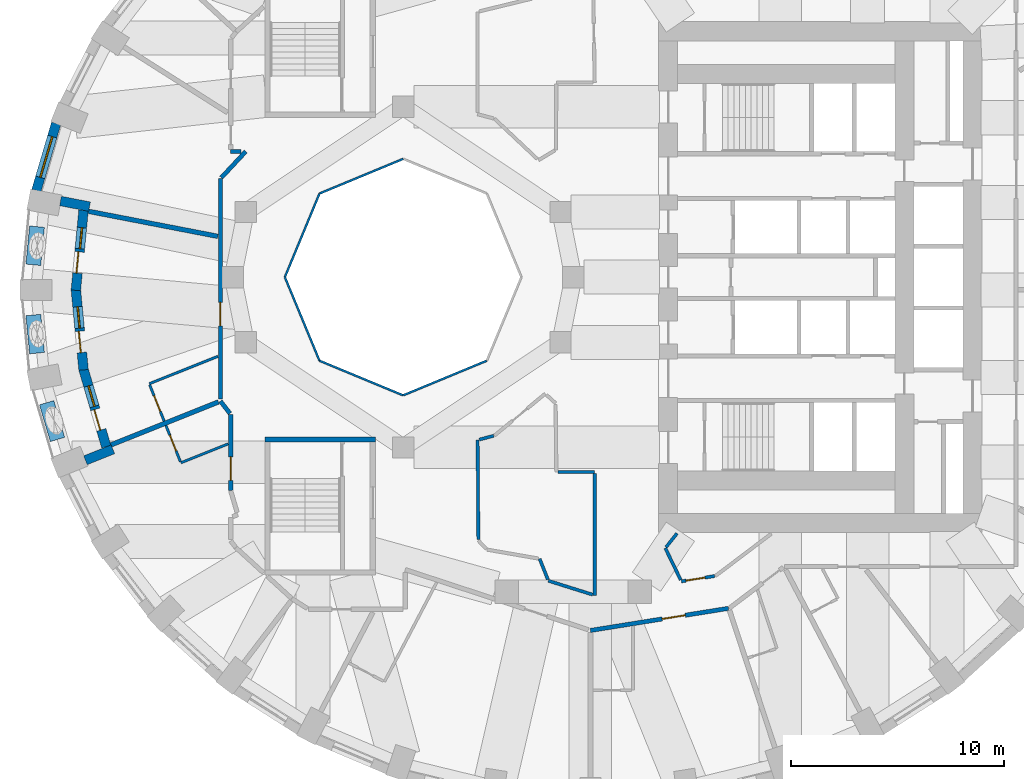
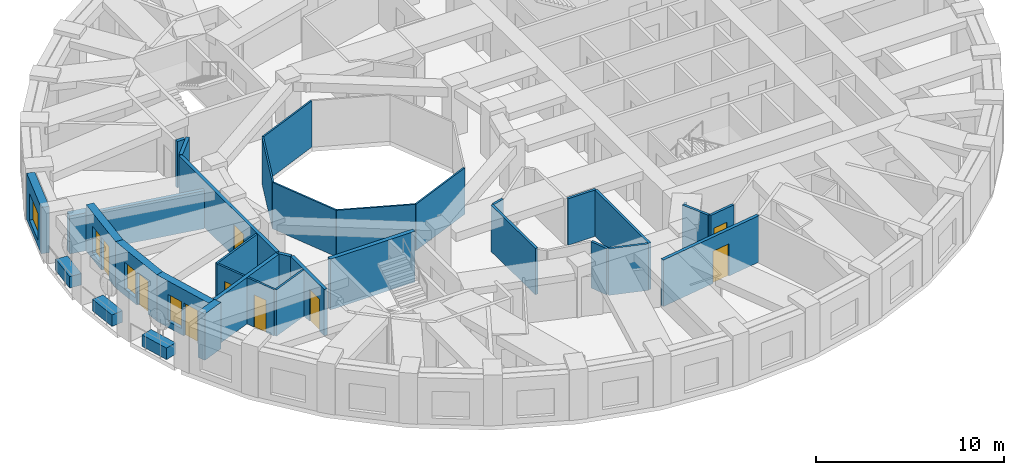
# One storey, part 4 of 12: 36 walls, 9 doors, 4 windows, 13 openings.
"""IFC4 building model written with IfcOpenShell, lengths in metres."""

from ifc_helpers import new_model, si_unit, direction, frame, frame_2d, origin, place, context, subcontext, project, spatial, rectangle, extrude, material, layer, layer_set, constituent, constituent_set, type_object, element, fill, save


model = new_model("IFC4")

# Units and contexts
model_context = context("Model", 3, precision=1e-05, world=origin(), true_north=direction((0.0, 1.0)))
body_context = subcontext(model_context, "Body", "Model", "MODEL_VIEW")
ifc_project = project(units=[si_unit("LENGTHUNIT", "METRE"), si_unit("AREAUNIT", "SQUARE_METRE"), si_unit("VOLUMEUNIT", "CUBIC_METRE"), si_unit("PLANEANGLEUNIT", "RADIAN"), si_unit("MASSUNIT", "GRAM", prefix="KILO")], contexts=[model_context])

# Site, building, storey
site_placement = place(None, origin())
site = spatial("IfcSite", under=ifc_project, at=site_placement, CompositionType="ELEMENT")
building_placement = place(site_placement, origin())
building = spatial("IfcBuilding", under=site, at=building_placement, Name="Taillehof Tower", CompositionType="ELEMENT")
storey_placement = place(building_placement, frame((0.0, 0.0, 105.39990234375)))
storey = spatial("IfcBuildingStorey", under=building, at=storey_placement, Name="L29", CompositionType="ELEMENT", Elevation=105.39990234375)

# Walls
ifc_material_1 = material(Name="Fire-resisting glass in steel frame", Category="steel")
ifc_layer_1 = layer(ifc_material_1, 0.10009765625)
ifc_layer_set_1 = layer_set([ifc_layer_1], Name="Atrium fire-resisting screen EI 60 100")
wall_type_1 = type_object("IfcWallType", Name="Atrium fire-resisting screen EI 60 100", PredefinedType="PARTITIONING", material=ifc_layer_set_1)
for number, where, z_axis, x_axis, name in (
    (1, (-4.07275390625, -3.92724609375, 0.0), (0.0, 0.0, 1.0), (-0.923860025149, -0.382730523909, 0.0), "Atrium screen"),
    (2, (-8.0, -5.55419921875, 0.0), (0.0, 0.0, 1.0), (-0.923860025149, 0.382730523909, 0.0), "Atrium screen"),
    (3, (-11.92724609375, -3.92724609375, 0.0), (0.0, 0.0, 1.0), (-0.382730523909, 0.923860025149, 0.0), "Atrium screen"),
    (4, (-13.55419921875, 0.0, 0.0), (0.0, 0.0, 1.0), (0.382730523909, 0.923860025149, 0.0), "Atrium screen"),
    (5, (-11.92724609375, 3.92724609375, 0.0), (0.0, 0.0, 1.0), (0.923860025149, 0.382730523909, 0.0), "Atrium screen"),
):
    element("IfcWall", number, at=place(storey_placement, frame(where, z_axis=z_axis, x_axis=x_axis)), inside=storey, type_object=wall_type_1, Name=name, PredefinedType="PARTITIONING", context=body_context, shape_type="SweptSolid", body=[
        extrude(rectangle(XDim=4.2509765625, YDim=0.10009765625, at=frame_2d((2.12548828125, 0.0))), origin(), (0.0, 0.0, 1.0), 3.02001953125),
    ])

# Wall, opening, window
ifc_material_2 = material(Name="Brick masonry", Category="masonry")
ifc_layer_2 = layer(ifc_material_2, 0.449951171875)
ifc_layer_set_2 = layer_set([ifc_layer_2], Name="Brick infill wall 450")
wall_type_2 = type_object("IfcWallType", Name="Brick infill wall 450", PredefinedType="SOLIDWALL", material=ifc_layer_set_2)
wall_1_placement = place(storey_placement, frame((-24.302001953125, 7.220703125, 0.0), z_axis=(0.0, 0.0, 1.0), x_axis=(-0.283071248438, -0.959098883488, 0.0)))
wall_1 = element("IfcWall", 6, at=wall_1_placement, inside=storey, type_object=wall_type_2, Name="Brick wall L29 bay 17", PredefinedType="SOLIDWALL", context=body_context, shape_type="SweptSolid", body=[
    extrude(rectangle(XDim=3.2861328125, YDim=0.449951171875, at=frame_2d((1.64306640625, 0.0))), origin(), (0.0, 0.0, 1.0), 3.02001953125),
])
opening_1_placement = place(wall_1_placement, frame((0.64306640625, 0.0, 0.39990234375)))
opening_1 = element("IfcOpeningElement", 7, at=opening_1_placement, cuts=wall_1, Name="Opening W2", PredefinedType="OPENING", context=body_context, shape_type="SweptSolid", body=[
    extrude(rectangle(XDim=2.0, YDim=1.75, at=frame_2d((1.0, 0.875))), frame((0.0, 0.23486328125, 0.0), z_axis=(0.0, -1.0, 0.0), x_axis=(1.0, 0.0, 0.0)), (0.0, 0.0, 1.0), 0.469970703125),
])
ifc_material_3 = material(Name="Aluminium window frame with clear double glazing", Category="aluminium")
window_type_1 = type_object("IfcWindowType", Name="Deep-set window 2000x1750", PartitioningType="SINGLE_PANEL", PredefinedType="WINDOW", material=ifc_material_3)
window_1_placement = place(opening_1_placement, origin())
window_1 = element("IfcWindow", 8, at=window_1_placement, inside=storey, type_object=window_type_1, Name="W2", OverallHeight=1.75, OverallWidth=2.0, PartitioningType="SINGLE_PANEL", PredefinedType="WINDOW", context=body_context, shape_type="SweptSolid", body=[
    extrude(rectangle(XDim=2.0, YDim=1.75, at=frame_2d((1.0, 0.875))), frame((0.0, 0.034912109375, 0.0), z_axis=(0.0, -1.0, 0.0), x_axis=(1.0, 0.0, 0.0)), (0.0, 0.0, 1.0), 0.06005859375),
])
fill(opening_1, window_1)

# Walls
wall_2_placement = place(storey_placement, frame((-24.09716796875, 3.576416015625, 0.0), z_axis=(0.0, 0.0, 1.0), x_axis=(0.981777736615, -0.190032828447, 0.0)))
element("IfcWall", 9, at=wall_2_placement, inside=storey, type_object=wall_type_2, Name="Brick reveal L29 pocket 5", PredefinedType="SOLIDWALL", context=body_context, shape_type="SweptSolid", body=[
    extrude(rectangle(XDim=1.39013671875, YDim=0.449951171875, at=frame_2d((0.695068359375, 0.0))), origin(), (0.0, 0.0, 1.0), 2.47021484375),
])
wall_3_placement = place(storey_placement, frame((-22.92626953125, -8.60498046875, 0.0), z_axis=(0.0, 0.0, 1.0), x_axis=(0.928549333349, 0.371209018665, 0.0)))
element("IfcWall", 10, at=wall_3_placement, inside=storey, type_object=wall_type_2, Name="Brick reveal L29 pocket 5", PredefinedType="SOLIDWALL", context=body_context, shape_type="SweptSolid", body=[
    extrude(rectangle(XDim=1.390380859375, YDim=0.449951171875, at=frame_2d((0.6953125, 0.0))), origin(), (0.0, 0.0, 1.0), 3.02001953125),
])

# Wall, openings, door, window
wall_4_placement = place(storey_placement, frame((-23.0146484375, 3.1376953125, 0.0), z_axis=(0.0, 0.0, 1.0), x_axis=(-0.095675452713, -0.995412581671, 0.0)))
wall_4 = element("IfcWall", 11, at=wall_4_placement, inside=storey, type_object=wall_type_2, Name="Brick wall L29 pocket bay 18", PredefinedType="SOLIDWALL", context=body_context, shape_type="SweptSolid", body=[
    extrude(rectangle(XDim=3.776611328125, YDim=0.449951171875, at=frame_2d((1.88818359375, 0.0))), origin(), (0.0, 0.0, 1.0), 3.02001953125),
])
opening_2_placement = place(wall_4_placement, frame((0.813232421875, 0.0, 0.39990234375)))
opening_2 = element("IfcOpeningElement", 12, at=opening_2_placement, cuts=wall_4, Name="Opening W5", PredefinedType="OPENING", context=body_context, shape_type="SweptSolid", body=[
    extrude(rectangle(XDim=1.0, YDim=1.75, at=frame_2d((0.5, 0.875))), frame((0.0, 0.23486328125, 0.0), z_axis=(0.0, -1.0, 0.0), x_axis=(1.0, 0.0, 0.0)), (0.0, 0.0, 1.0), 0.469970703125),
])
opening_3_placement = place(wall_4_placement, frame((1.96337890625, 0.0, 0.0)))
opening_3 = element("IfcOpeningElement", 13, at=opening_3_placement, cuts=wall_4, Name="Opening D2994", PredefinedType="OPENING", context=body_context, shape_type="SweptSolid", body=[
    extrude(rectangle(XDim=1.0, YDim=2.14990234375, at=frame_2d((0.5, 1.074951171875))), frame((0.0, 0.23486328125, 0.0), z_axis=(0.0, -1.0, 0.0), x_axis=(1.0, 0.0, 0.0)), (0.0, 0.0, 1.0), 0.469970703125),
])
ifc_material_4 = material(Name="Aluminium door frame with clear double glazing", Category="aluminium")
door_type_1 = type_object("IfcDoorType", Name="Balcony door 1000x2150", OperationType="SINGLE_SWING_RIGHT", PredefinedType="DOOR", material=ifc_material_4)
door_1_placement = place(opening_3_placement, frame((1.0, 0.0, 0.0), z_axis=(0.0, 0.0, 1.0), x_axis=(-1.0, 0.0, 0.0)))
door_1 = element("IfcDoor", 14, at=door_1_placement, inside=storey, type_object=door_type_1, Name="Balcony door L29 bay 18", OperationType="SINGLE_SWING_RIGHT", OverallHeight=2.14990234375, OverallWidth=1.0, PredefinedType="DOOR", context=body_context, shape_type="SweptSolid", body=[
    extrude(rectangle(XDim=1.0, YDim=2.14990234375, at=frame_2d((0.5, 1.074951171875))), frame((0.0, 0.0751953125, 0.0), z_axis=(0.0, -1.0, 0.0), x_axis=(1.0, 0.0, 0.0)), (0.0, 0.0, 1.0), 0.050048828125),
])
fill(opening_3, door_1)
ifc_material_5 = material(Name="Aluminium window frame with clear double glazing", Category="aluminium")
window_type_2 = type_object("IfcWindowType", Name="Fixed window 1000x1750", PartitioningType="SINGLE_PANEL", PredefinedType="WINDOW", material=ifc_material_5)
window_2_placement = place(opening_2_placement, origin())
window_2 = element("IfcWindow", 15, at=window_2_placement, inside=storey, type_object=window_type_2, Name="W5", OverallHeight=1.75, OverallWidth=1.0, PartitioningType="SINGLE_PANEL", PredefinedType="WINDOW", context=body_context, shape_type="SweptSolid", body=[
    extrude(rectangle(XDim=1.0, YDim=1.75, at=frame_2d((0.5, 0.875))), frame((0.0, 0.034912109375, 0.0), z_axis=(0.0, -1.0, 0.0), x_axis=(1.0, 0.0, 0.0)), (0.0, 0.0, 1.0), 0.06005859375),
])
fill(opening_2, window_2)

wall_5_placement = place(storey_placement, frame((-23.3759765625, -0.578369140625, 0.0), z_axis=(0.0, 0.0, 1.0), x_axis=(0.095646267275, -0.995415386437, 0.0)))
wall_5 = element("IfcWall", 16, at=wall_5_placement, inside=storey, type_object=wall_type_2, Name="Brick wall L29 pocket bay 19", PredefinedType="SOLIDWALL", context=body_context, shape_type="SweptSolid", body=[
    extrude(rectangle(XDim=3.798095703125, YDim=0.449951171875, at=frame_2d((1.89892578125, 0.0))), origin(), (0.0, 0.0, 1.0), 3.02001953125),
])
opening_4_placement = place(wall_5_placement, frame((0.823974609375, 0.0, 0.39990234375)))
opening_4 = element("IfcOpeningElement", 17, at=opening_4_placement, cuts=wall_5, Name="Opening W5", PredefinedType="OPENING", context=body_context, shape_type="SweptSolid", body=[
    extrude(rectangle(XDim=1.0, YDim=1.75, at=frame_2d((0.5, 0.875))), frame((0.0, 0.23486328125, 0.0), z_axis=(0.0, -1.0, 0.0), x_axis=(1.0, 0.0, 0.0)), (0.0, 0.0, 1.0), 0.469970703125),
])
opening_5_placement = place(wall_5_placement, frame((1.97412109375, 0.0, 0.0)))
opening_5 = element("IfcOpeningElement", 18, at=opening_5_placement, cuts=wall_5, Name="Opening D2995", PredefinedType="OPENING", context=body_context, shape_type="SweptSolid", body=[
    extrude(rectangle(XDim=1.0, YDim=2.14990234375, at=frame_2d((0.5, 1.074951171875))), frame((0.0, 0.23486328125, 0.0), z_axis=(0.0, -1.0, 0.0), x_axis=(1.0, 0.0, 0.0)), (0.0, 0.0, 1.0), 0.469970703125),
])
door_2_placement = place(opening_5_placement, frame((1.0, 0.0, 0.0), z_axis=(0.0, 0.0, 1.0), x_axis=(-1.0, 0.0, 0.0)))
door_2 = element("IfcDoor", 19, at=door_2_placement, inside=storey, type_object=door_type_1, Name="Balcony door L29 bay 19", OperationType="SINGLE_SWING_LEFT", OverallHeight=2.14990234375, OverallWidth=1.0, PredefinedType="DOOR", context=body_context, shape_type="SweptSolid", body=[
    extrude(rectangle(XDim=1.0, YDim=2.14990234375, at=frame_2d((0.5, 1.074951171875))), frame((0.0, 0.0751953125, 0.0), z_axis=(0.0, -1.0, 0.0), x_axis=(1.0, 0.0, 0.0)), (0.0, 0.0, 1.0), 0.050048828125),
])
fill(opening_5, door_2)
window_3_placement = place(opening_4_placement, origin())
window_3 = element("IfcWindow", 20, at=window_3_placement, inside=storey, type_object=window_type_2, Name="W5", OverallHeight=1.75, OverallWidth=1.0, PartitioningType="SINGLE_PANEL", PredefinedType="WINDOW", context=body_context, shape_type="SweptSolid", body=[
    extrude(rectangle(XDim=1.0, YDim=1.75, at=frame_2d((0.5, 0.875))), frame((0.0, 0.034912109375, 0.0), z_axis=(0.0, -1.0, 0.0), x_axis=(1.0, 0.0, 0.0)), (0.0, 0.0, 1.0), 0.06005859375),
])
fill(opening_4, window_3)

wall_6_placement = place(storey_placement, frame((-23.020751953125, -4.317138671875, 0.0), z_axis=(0.0, 0.0, 1.0), x_axis=(0.282391916129, -0.959299122123, 0.0)))
wall_6 = element("IfcWall", 21, at=wall_6_placement, inside=storey, type_object=wall_type_2, Name="Brick wall L29 pocket bay 20", PredefinedType="SOLIDWALL", context=body_context, shape_type="SweptSolid", body=[
    extrude(rectangle(XDim=3.808349609375, YDim=0.449951171875, at=frame_2d((1.904296875, 0.0))), origin(), (0.0, 0.0, 1.0), 3.02001953125),
])
opening_6_placement = place(wall_6_placement, frame((0.8291015625, 0.0, 0.39990234375)))
opening_6 = element("IfcOpeningElement", 22, at=opening_6_placement, cuts=wall_6, Name="Opening W5", PredefinedType="OPENING", context=body_context, shape_type="SweptSolid", body=[
    extrude(rectangle(XDim=1.0, YDim=1.75, at=frame_2d((0.5, 0.875))), frame((0.0, 0.23486328125, 0.0), z_axis=(0.0, -1.0, 0.0), x_axis=(1.0, 0.0, 0.0)), (0.0, 0.0, 1.0), 0.469970703125),
])
opening_7_placement = place(wall_6_placement, frame((1.979248046875, 0.0, 0.0)))
opening_7 = element("IfcOpeningElement", 23, at=opening_7_placement, cuts=wall_6, Name="Opening D2996", PredefinedType="OPENING", context=body_context, shape_type="SweptSolid", body=[
    extrude(rectangle(XDim=1.0, YDim=2.14990234375, at=frame_2d((0.5, 1.074951171875))), frame((0.0, 0.23486328125, 0.0), z_axis=(0.0, -1.0, 0.0), x_axis=(1.0, 0.0, 0.0)), (0.0, 0.0, 1.0), 0.469970703125),
])
door_3_placement = place(opening_7_placement, frame((1.0, 0.0, 0.0), z_axis=(0.0, 0.0, 1.0), x_axis=(-1.0, 0.0, 0.0)))
door_3 = element("IfcDoor", 24, at=door_3_placement, inside=storey, type_object=door_type_1, Name="Balcony door L29 bay 20", OperationType="SINGLE_SWING_LEFT", OverallHeight=2.14990234375, OverallWidth=1.0, PredefinedType="DOOR", context=body_context, shape_type="SweptSolid", body=[
    extrude(rectangle(XDim=1.0, YDim=2.14990234375, at=frame_2d((0.5, 1.074951171875))), frame((0.0, 0.0751953125, 0.0), z_axis=(0.0, -1.0, 0.0), x_axis=(1.0, 0.0, 0.0)), (0.0, 0.0, 1.0), 0.050048828125),
])
fill(opening_7, door_3)
window_4_placement = place(opening_6_placement, origin())
window_4 = element("IfcWindow", 25, at=window_4_placement, inside=storey, type_object=window_type_2, Name="W5", OverallHeight=1.75, OverallWidth=1.0, PartitioningType="SINGLE_PANEL", PredefinedType="WINDOW", context=body_context, shape_type="SweptSolid", body=[
    extrude(rectangle(XDim=1.0, YDim=1.75, at=frame_2d((0.5, 0.875))), frame((0.0, 0.034912109375, 0.0), z_axis=(0.0, -1.0, 0.0), x_axis=(1.0, 0.0, 0.0)), (0.0, 0.0, 1.0), 0.06005859375),
])
fill(opening_6, window_4)

# Wall, opening, door
ifc_material_6 = material(Name="Gypsum board on steel studs, two layers each side", Category="steel")
ifc_layer_3 = layer(ifc_material_6, 0.199951171875)
ifc_layer_set_3 = layer_set([ifc_layer_3], Name="Compartment wall corridor 200")
wall_type_3 = type_object("IfcWallType", Name="Compartment wall corridor 200", PredefinedType="PARTITIONING", material=ifc_layer_set_3)
wall_7_placement = place(storey_placement, frame((-16.10009765625, -10.013427734375, 0.0), z_axis=(0.0, 0.0, 1.0), x_axis=(0.0, 1.0, 0.0)))
wall_7 = element("IfcWall", 26, at=wall_7_placement, inside=storey, type_object=wall_type_3, Name="Compartment wall", PredefinedType="PARTITIONING", context=body_context, shape_type="SweptSolid", body=[
    extrude(rectangle(XDim=3.561279296875, YDim=0.199951171875, at=frame_2d((1.78076171875, 0.0))), origin(), (0.0, 0.0, 1.0), 3.02001953125),
])
opening_8_placement = place(wall_7_placement, frame((0.47021484375, 0.0, 0.0)))
opening_8 = element("IfcOpeningElement", 27, at=opening_8_placement, cuts=wall_7, Name="Opening D2950", PredefinedType="OPENING", context=body_context, shape_type="SweptSolid", body=[
    extrude(rectangle(XDim=1.10009765625, YDim=2.10009765625, at=frame_2d((0.550048828125, 1.050048828125))), frame((0.0, 0.10986328125, 0.0), z_axis=(0.0, -1.0, 0.0), x_axis=(1.0, 0.0, 0.0)), (0.0, 0.0, 1.0), 0.219970703125),
])
ifc_material_7 = material(Name="Timber door leaf in steel frame", Category="steel")
door_type_2 = type_object("IfcDoorType", Name="Suite entrance door EI 30 1100 x 2100", OperationType="SINGLE_SWING_LEFT", PredefinedType="DOOR", material=ifc_material_7)
door_4_placement = place(opening_8_placement, origin())
door_4 = element("IfcDoor", 28, at=door_4_placement, inside=storey, type_object=door_type_2, Name="D2950", OperationType="SINGLE_SWING_RIGHT", OverallHeight=2.10009765625, OverallWidth=1.10009765625, PredefinedType="DOOR", context=body_context, shape_type="SweptSolid", body=[
    extrude(rectangle(XDim=1.10009765625, YDim=2.10009765625, at=frame_2d((0.550048828125, 1.050048828125))), frame((0.0, 0.02490234375, 0.0), z_axis=(0.0, -1.0, 0.0), x_axis=(1.0, 0.0, 0.0)), (0.0, 0.0, 1.0), 0.050048828125),
])
fill(opening_8, door_4)

# Wall
wall_8_placement = place(storey_placement, frame((-16.13671875, -6.404541015625, 0.0), z_axis=(0.0, 0.0, 1.0), x_axis=(-0.612388914667, 0.790556650211, 0.0)))
element("IfcWall", 29, at=wall_8_placement, inside=storey, type_object=wall_type_3, Name="Compartment wall", PredefinedType="PARTITIONING", context=body_context, shape_type="SweptSolid", body=[
    extrude(rectangle(XDim=0.73046875, YDim=0.199951171875, at=frame_2d((0.365234375, 0.0))), origin(), (0.0, 0.0, 1.0), 3.02001953125),
])

# Wall, opening, door
wall_9_placement = place(storey_placement, frame((-16.583984375, -5.72705078125, 0.0), z_axis=(0.0, 0.0, 1.0), x_axis=(0.0, 1.0, 0.0)))
wall_9 = element("IfcWall", 30, at=wall_9_placement, inside=storey, type_object=wall_type_3, Name="Compartment wall", PredefinedType="PARTITIONING", context=body_context, shape_type="SweptSolid", body=[
    extrude(rectangle(XDim=10.354248046875, YDim=0.199951171875, at=frame_2d((5.17724609375, 0.0))), origin(), (0.0, 0.0, 1.0), 3.02001953125),
])
opening_9_placement = place(wall_9_placement, frame((3.439208984375, 0.0, 0.0)))
opening_9 = element("IfcOpeningElement", 31, at=opening_9_placement, cuts=wall_9, Name="Opening D2948", PredefinedType="OPENING", context=body_context, shape_type="SweptSolid", body=[
    extrude(rectangle(XDim=1.10009765625, YDim=2.10009765625, at=frame_2d((0.550048828125, 1.050048828125))), frame((0.0, 0.10986328125, 0.0), z_axis=(0.0, -1.0, 0.0), x_axis=(1.0, 0.0, 0.0)), (0.0, 0.0, 1.0), 0.219970703125),
])
door_5_placement = place(opening_9_placement, origin())
door_5 = element("IfcDoor", 32, at=door_5_placement, inside=storey, type_object=door_type_2, Name="D2948", OperationType="SINGLE_SWING_LEFT", OverallHeight=2.10009765625, OverallWidth=1.10009765625, PredefinedType="DOOR", context=body_context, shape_type="SweptSolid", body=[
    extrude(rectangle(XDim=1.10009765625, YDim=2.10009765625, at=frame_2d((0.550048828125, 1.050048828125))), frame((0.0, 0.02490234375, 0.0), z_axis=(0.0, -1.0, 0.0), x_axis=(1.0, 0.0, 0.0)), (0.0, 0.0, 1.0), 0.050048828125),
])
fill(opening_9, door_5)

# Walls
wall_10_placement = place(storey_placement, frame((-16.54296875, 4.671142578125, 0.0), z_axis=(0.0, 0.0, 1.0), x_axis=(0.681815766934, 0.731523929861, 0.0)))
element("IfcWall", 33, at=wall_10_placement, inside=storey, type_object=wall_type_3, Name="Compartment wall", PredefinedType="PARTITIONING", context=body_context, shape_type="SweptSolid", body=[
    extrude(rectangle(XDim=1.6796875, YDim=0.199951171875, at=frame_2d((0.83984375, 0.0))), origin(), (0.0, 0.0, 1.0), 3.02001953125),
])
wall_11_placement = place(storey_placement, frame((-15.617919921875, 5.89990234375, 0.0), z_axis=(0.0, 0.0, 1.0), x_axis=(-1.0, 0.0, 0.0)))
element("IfcWall", 34, at=wall_11_placement, inside=storey, type_object=wall_type_3, Name="Compartment wall", PredefinedType="PARTITIONING", context=body_context, shape_type="SweptSolid", body=[
    extrude(rectangle(XDim=0.482177734375, YDim=0.199951171875, at=frame_2d((0.2412109375, 0.0))), origin(), (0.0, 0.0, 1.0), 3.02001953125),
])

# Wall, opening, door
wall_12_placement = place(storey_placement, frame((7.284423828125, -15.561279296875, 0.0), z_axis=(0.0, 0.0, 1.0), x_axis=(-0.987409293733, -0.158186240393, 0.0)))
wall_12 = element("IfcWall", 35, at=wall_12_placement, inside=storey, type_object=wall_type_3, Name="Compartment wall", PredefinedType="PARTITIONING", context=body_context, shape_type="SweptSolid", body=[
    extrude(rectangle(XDim=6.567138671875, YDim=0.199951171875, at=frame_2d((3.28369140625, 0.0))), origin(), (0.0, 0.0, 1.0), 3.02001953125),
])
opening_10_placement = place(wall_12_placement, frame((2.057373046875, 0.0, 0.0)))
opening_10 = element("IfcOpeningElement", 36, at=opening_10_placement, cuts=wall_12, Name="Opening D2955", PredefinedType="OPENING", context=body_context, shape_type="SweptSolid", body=[
    extrude(rectangle(XDim=1.10009765625, YDim=2.10009765625, at=frame_2d((0.550048828125, 1.050048828125))), frame((0.0, 0.10986328125, 0.0), z_axis=(0.0, -1.0, 0.0), x_axis=(1.0, 0.0, 0.0)), (0.0, 0.0, 1.0), 0.219970703125),
])
door_6_placement = place(opening_10_placement, origin())
door_6 = element("IfcDoor", 37, at=door_6_placement, inside=storey, type_object=door_type_2, Name="D2955", OperationType="SINGLE_SWING_RIGHT", OverallHeight=2.10009765625, OverallWidth=1.10009765625, PredefinedType="DOOR", context=body_context, shape_type="SweptSolid", body=[
    extrude(rectangle(XDim=1.10009765625, YDim=2.10009765625, at=frame_2d((0.550048828125, 1.050048828125))), frame((0.0, 0.02490234375, 0.0), z_axis=(0.0, -1.0, 0.0), x_axis=(1.0, 0.0, 0.0)), (0.0, 0.0, 1.0), 0.050048828125),
])
fill(opening_10, door_6)

# Walls
ifc_material_8 = material(Name="Gypsum board on double steel studs with mineral wool", Category="steel")
ifc_layer_4 = layer(ifc_material_8, 0.219970703125)
ifc_layer_set_4 = layer_set([ifc_layer_4], Name="Compartment wall guest room 220")
wall_type_4 = type_object("IfcWallType", Name="Compartment wall guest room 220", PredefinedType="PARTITIONING", material=ifc_layer_set_4)
wall_13_placement = place(storey_placement, frame((-22.792724609375, 3.0947265625, 0.0), z_axis=(0.0, 0.0, 1.0), x_axis=(0.98175994641, -0.190124715976, 0.0)))
element("IfcWall", 38, at=wall_13_placement, inside=storey, type_object=wall_type_4, Name="Compartment wall", PredefinedType="PARTITIONING", context=body_context, shape_type="SweptSolid", body=[
    extrude(rectangle(XDim=6.2021484375, YDim=0.219970703125, at=frame_2d((3.10107421875, 0.0))), origin(), (0.0, 0.0, 1.0), 2.47021484375),
])
wall_14_placement = place(storey_placement, frame((-21.735595703125, -7.88671875, 0.0), z_axis=(0.0, 0.0, 1.0), x_axis=(0.928513770625, 0.371297963583, 0.0)))
element("IfcWall", 39, at=wall_14_placement, inside=storey, type_object=wall_type_4, Name="Compartment wall", PredefinedType="PARTITIONING", context=body_context, shape_type="SweptSolid", body=[
    extrude(rectangle(XDim=5.4482421875, YDim=0.219970703125, at=frame_2d((2.72412109375, 0.0))), origin(), (0.0, 0.0, 1.0), 3.02001953125),
])
ifc_material_9 = material(Name="Gypsum board on steel studs, two layers each side", Category="steel")
ifc_layer_5 = layer(ifc_material_9, 0.14990234375)
ifc_layer_set_5 = layer_set([ifc_layer_5], Name="Compartment wall service room 150")
wall_type_5 = type_object("IfcWallType", Name="Compartment wall service room 150", PredefinedType="PARTITIONING", material=ifc_layer_set_5)
wall_15_placement = place(storey_placement, frame((-0.719970703125, -9.14990234375, 0.0), z_axis=(0.0, 0.0, 1.0), x_axis=(1.0, 0.0, 0.0)))
element("IfcWall", 40, at=wall_15_placement, inside=storey, type_object=wall_type_5, Name="Compartment wall", PredefinedType="PARTITIONING", context=body_context, shape_type="SweptSolid", body=[
    extrude(rectangle(XDim=1.719970703125, YDim=0.14990234375, at=frame_2d((0.85986328125, 0.0))), origin(), (0.0, 0.0, 1.0), 3.02001953125),
])
wall_16_placement = place(storey_placement, frame((1.0, -9.22998046875, 0.0), z_axis=(0.0, 0.0, 1.0), x_axis=(0.0, -1.0, 0.0)))
element("IfcWall", 41, at=wall_16_placement, inside=storey, type_object=wall_type_5, Name="Compartment wall", PredefinedType="PARTITIONING", context=body_context, shape_type="SweptSolid", body=[
    extrude(rectangle(XDim=5.717529296875, YDim=0.14990234375, at=frame_2d((2.85888671875, 0.0))), origin(), (0.0, 0.0, 1.0), 3.02001953125),
])
wall_17_placement = place(storey_placement, frame((0.90478515625, -14.918212890625, 0.0), z_axis=(0.0, 0.0, 1.0), x_axis=(-0.954324426349, 0.298772303391, 0.0)))
element("IfcWall", 42, at=wall_17_placement, inside=storey, type_object=wall_type_5, Name="Compartment wall", PredefinedType="PARTITIONING", context=body_context, shape_type="SweptSolid", body=[
    extrude(rectangle(XDim=2.18017578125, YDim=0.14990234375, at=frame_2d((1.090087890625, 0.0))), origin(), (0.0, 0.0, 1.0), 3.02001953125),
])
wall_18_placement = place(storey_placement, frame((-1.19775390625, -14.211181640625, 0.0), z_axis=(0.0, 0.0, 1.0), x_axis=(-0.368390833177, 0.929671013871, 0.0)))
element("IfcWall", 43, at=wall_18_placement, inside=storey, type_object=wall_type_5, Name="Compartment wall", PredefinedType="PARTITIONING", context=body_context, shape_type="SweptSolid", body=[
    extrude(rectangle(XDim=1.052978515625, YDim=0.14990234375, at=frame_2d((0.5263671875, 0.0))), origin(), (0.0, 0.0, 1.0), 3.02001953125),
])
wall_19_placement = place(storey_placement, frame((-4.46435546875, -12.33740234375, 0.0), z_axis=(0.0, 0.0, 1.0), x_axis=(-0.007612272268, 0.999971026236, 0.0)))
element("IfcWall", 44, at=wall_19_placement, inside=storey, type_object=wall_type_5, Name="Compartment wall", PredefinedType="PARTITIONING", context=body_context, shape_type="SweptSolid", body=[
    extrude(rectangle(XDim=4.6826171875, YDim=0.14990234375, at=frame_2d((2.34130859375, 0.0))), origin(), (0.0, 0.0, 1.0), 3.02001953125),
])
wall_20_placement = place(storey_placement, frame((-4.4228515625, -7.634521484375, 0.0), z_axis=(0.0, 0.0, 1.0), x_axis=(0.965842837235, 0.259128566087, 0.0)))
element("IfcWall", 45, at=wall_20_placement, inside=storey, type_object=wall_type_5, Name="Compartment wall", PredefinedType="PARTITIONING", context=body_context, shape_type="SweptSolid", body=[
    extrude(rectangle(XDim=0.704833984375, YDim=0.14990234375, at=frame_2d((0.3525390625, 0.0))), origin(), (0.0, 0.0, 1.0), 3.02001953125),
])

# Wall, opening, door
wall_21_placement = place(storey_placement, frame((6.637451171875, -14.04443359375, 0.0), z_axis=(0.0, 0.0, 1.0), x_axis=(-0.987404968029, -0.158213239367, 0.0)))
wall_21 = element("IfcWall", 46, at=wall_21_placement, inside=storey, type_object=wall_type_5, Name="Compartment wall", PredefinedType="PARTITIONING", context=body_context, shape_type="SweptSolid", body=[
    extrude(rectangle(XDim=1.581787109375, YDim=0.14990234375, at=frame_2d((0.791015625, 0.0))), origin(), (0.0, 0.0, 1.0), 3.02001953125),
])
opening_11_placement = place(wall_21_placement, frame((0.461669921875, 0.0, 0.0)))
opening_11 = element("IfcOpeningElement", 47, at=opening_11_placement, cuts=wall_21, Name="Opening D2967", PredefinedType="OPENING", context=body_context, shape_type="SweptSolid", body=[
    extrude(rectangle(XDim=0.89990234375, YDim=2.10009765625, at=frame_2d((0.449951171875, 1.050048828125))), frame((0.0, 0.0849609375, 0.0), z_axis=(0.0, -1.0, 0.0), x_axis=(1.0, 0.0, 0.0)), (0.0, 0.0, 1.0), 0.169921875),
])
ifc_material_10 = material(Name="Timber door leaf in steel frame", Category="steel")
door_type_3 = type_object("IfcDoorType", Name="Service room door EI 30 900 x 2100", OperationType="SINGLE_SWING_LEFT", PredefinedType="DOOR", material=ifc_material_10)
door_7_placement = place(opening_11_placement, origin())
door_7 = element("IfcDoor", 48, at=door_7_placement, inside=storey, type_object=door_type_3, Name="D2967", OperationType="SINGLE_SWING_LEFT", OverallHeight=2.10009765625, OverallWidth=0.89990234375, PredefinedType="DOOR", context=body_context, shape_type="SweptSolid", body=[
    extrude(rectangle(XDim=0.89990234375, YDim=2.10009765625, at=frame_2d((0.449951171875, 1.050048828125))), frame((0.0, 0.02490234375, 0.0), z_axis=(0.0, -1.0, 0.0), x_axis=(1.0, 0.0, 0.0)), (0.0, 0.0, 1.0), 0.050048828125),
])
fill(opening_11, door_7)

# Walls
wall_22_placement = place(storey_placement, frame((5.04052734375, -14.222412109375, 0.0), z_axis=(0.0, 0.0, 1.0), x_axis=(-0.436031090703, 0.899931601812, 0.0)))
element("IfcWall", 49, at=wall_22_placement, inside=storey, type_object=wall_type_5, Name="Compartment wall", PredefinedType="PARTITIONING", context=body_context, shape_type="SweptSolid", body=[
    extrude(rectangle(XDim=1.65576171875, YDim=0.14990234375, at=frame_2d((0.827880859375, 0.0))), origin(), (0.0, 0.0, 1.0), 3.02001953125),
])
wall_23_placement = place(storey_placement, frame((4.35595703125, -12.685546875, 0.0), z_axis=(0.0, 0.0, 1.0), x_axis=(0.621438600293, 0.783462868339, 0.0)))
element("IfcWall", 50, at=wall_23_placement, inside=storey, type_object=wall_type_5, Name="Compartment wall", PredefinedType="PARTITIONING", context=body_context, shape_type="SweptSolid", body=[
    extrude(rectangle(XDim=0.82421875, YDim=0.14990234375, at=frame_2d((0.412109375, 0.0))), origin(), (0.0, 0.0, 1.0), 2.570068359375),
])
ifc_material_11 = material(Name="Gypsum board on steel studs, moisture resistant", Category="steel")
ifc_layer_6 = layer(ifc_material_11, 0.1201171875)
ifc_layer_set_6 = layer_set([ifc_layer_6], Name="En-suite wall 120")
wall_type_6 = type_object("IfcWallType", Name="En-suite wall 120", PredefinedType="PARTITIONING", material=ifc_layer_set_6)
wall_24_placement = place(storey_placement, frame((-16.70263671875, -3.720703125, 0.0), z_axis=(0.0, 0.0, 1.0), x_axis=(-0.928539725362, -0.371233051362, 0.0)))
element("IfcWall", 51, at=wall_24_placement, inside=storey, type_object=wall_type_6, Name="En-suite wall", PredefinedType="PARTITIONING", context=body_context, shape_type="SweptSolid", body=[
    extrude(rectangle(XDim=3.4716796875, YDim=0.1201171875, at=frame_2d((1.73583984375, 0.0))), origin(), (0.0, 0.0, 1.0), 3.02001953125),
])
wall_25_placement = place(storey_placement, frame((-16.21875, -7.8349609375, 0.0), z_axis=(0.0, 0.0, 1.0), x_axis=(-0.928532951542, -0.371249993806, 0.0)))
element("IfcWall", 52, at=wall_25_placement, inside=storey, type_object=wall_type_6, Name="En-suite wall", PredefinedType="PARTITIONING", context=body_context, shape_type="SweptSolid", body=[
    extrude(rectangle(XDim=2.393798828125, YDim=0.1201171875, at=frame_2d((1.19677734375, 0.0))), origin(), (0.0, 0.0, 1.0), 3.02001953125),
])

# Wall, opening, door
wall_26_placement = place(storey_placement, frame((-19.904052734375, -5.065185546875, 0.0), z_axis=(0.0, 0.0, 1.0), x_axis=(0.371275666236, -0.92852268667, 0.0)))
wall_26 = element("IfcWall", 53, at=wall_26_placement, inside=storey, type_object=wall_type_6, Name="En-suite wall", PredefinedType="PARTITIONING", context=body_context, shape_type="SweptSolid", body=[
    extrude(rectangle(XDim=1.830078125, YDim=0.1201171875, at=frame_2d((0.9150390625, 0.0))), origin(), (0.0, 0.0, 1.0), 3.02001953125),
])
opening_12_placement = place(wall_26_placement, frame((0.5400390625, 0.0, 0.0)))
opening_12 = element("IfcOpeningElement", 54, at=opening_12_placement, cuts=wall_26, Name="Opening D2949", PredefinedType="OPENING", context=body_context, shape_type="SweptSolid", body=[
    extrude(rectangle(XDim=0.800048828125, YDim=2.10009765625, at=frame_2d((0.39990234375, 1.050048828125))), frame((0.0, 0.070068359375, 0.0), z_axis=(0.0, -1.0, 0.0), x_axis=(1.0, 0.0, 0.0)), (0.0, 0.0, 1.0), 0.14013671875),
])
ifc_material_12 = material(Name="Timber door leaf in steel frame", Category="steel")
door_type_4 = type_object("IfcDoorType", Name="En-suite door 800 x 2100", OperationType="SINGLE_SWING_LEFT", PredefinedType="DOOR", material=ifc_material_12)
door_8_placement = place(opening_12_placement, origin())
door_8 = element("IfcDoor", 55, at=door_8_placement, inside=storey, type_object=door_type_4, Name="D2949", OperationType="SINGLE_SWING_LEFT", OverallHeight=2.10009765625, OverallWidth=0.800048828125, PredefinedType="DOOR", context=body_context, shape_type="SweptSolid", body=[
    extrude(rectangle(XDim=0.800048828125, YDim=2.10009765625, at=frame_2d((0.39990234375, 1.050048828125))), frame((0.0, 0.02490234375, 0.0), z_axis=(0.0, -1.0, 0.0), x_axis=(1.0, 0.0, 0.0)), (0.0, 0.0, 1.0), 0.050048828125),
])
fill(opening_12, door_8)

wall_27_placement = place(storey_placement, frame((-18.463623046875, -8.66796875, 0.0), z_axis=(0.0, 0.0, 1.0), x_axis=(-0.371275666236, 0.92852268667, 0.0)))
wall_27 = element("IfcWall", 56, at=wall_27_placement, inside=storey, type_object=wall_type_6, Name="En-suite wall", PredefinedType="PARTITIONING", context=body_context, shape_type="SweptSolid", body=[
    extrude(rectangle(XDim=1.830078125, YDim=0.1201171875, at=frame_2d((0.9150390625, 0.0))), origin(), (0.0, 0.0, 1.0), 3.02001953125),
])
opening_13_placement = place(wall_27_placement, frame((0.5400390625, 0.0, 0.0)))
opening_13 = element("IfcOpeningElement", 57, at=opening_13_placement, cuts=wall_27, Name="Opening D2951", PredefinedType="OPENING", context=body_context, shape_type="SweptSolid", body=[
    extrude(rectangle(XDim=0.800048828125, YDim=2.10009765625, at=frame_2d((0.39990234375, 1.050048828125))), frame((0.0, 0.070068359375, 0.0), z_axis=(0.0, -1.0, 0.0), x_axis=(1.0, 0.0, 0.0)), (0.0, 0.0, 1.0), 0.14013671875),
])
door_9_placement = place(opening_13_placement, origin())
door_9 = element("IfcDoor", 58, at=door_9_placement, inside=storey, type_object=door_type_4, Name="D2951", OperationType="SINGLE_SWING_RIGHT", OverallHeight=2.10009765625, OverallWidth=0.800048828125, PredefinedType="DOOR", context=body_context, shape_type="SweptSolid", body=[
    extrude(rectangle(XDim=0.800048828125, YDim=2.10009765625, at=frame_2d((0.39990234375, 1.050048828125))), frame((0.0, 0.02490234375, 0.0), z_axis=(0.0, -1.0, 0.0), x_axis=(1.0, 0.0, 0.0)), (0.0, 0.0, 1.0), 0.050048828125),
])
fill(opening_13, door_9)

# Walls
ifc_material_13 = material(Name="Concrete C30/37 precast", Category="concrete")
ifc_constituent_1 = constituent(ifc_material_13, Name="Structure", Category="concrete")
ifc_material_14 = material(Name="Insulated lining")
ifc_constituent_2 = constituent(ifc_material_14, Name="Lining")
ifc_constituent_set = constituent_set(constituents=[ifc_constituent_1, ifc_constituent_2], Name="Planter trough 700x750")
wall_type_7 = type_object("IfcWallType", Name="Planter trough 700x750", PredefinedType="USERDEFINED", material=ifc_constituent_set)
wall_28_placement = place(storey_placement, frame((-25.201416015625, 2.37158203125, 0.0), z_axis=(0.0, 0.0, 1.0), x_axis=(-0.0959036751, -0.995390619356, 0.0)))
element("IfcWall", 59, at=wall_28_placement, inside=storey, type_object=wall_type_7, Name="Planter L29 bay 18", ObjectType="PLANTER", PredefinedType="USERDEFINED", context=body_context, shape_type="SweptSolid", body=[
    extrude(rectangle(XDim=1.7998046875, YDim=0.699951171875, at=frame_2d((0.89990234375, 0.0))), origin(), (0.0, 0.0, 1.0), 0.75),
])
for number, where, z_axis, x_axis, name in (
    (60, (-25.3740234375, -1.780029296875, 0.0), (0.0, 0.0, 1.0), (0.09589072759, -0.995391866735, 0.0), "Planter L29 bay 19"),
    (61, (-24.74853515625, -5.90087890625, 0.0), (0.0, 0.0, 1.0), (0.283076786659, -0.959097248904, 0.0), "Planter L29 bay 20"),
):
    element("IfcWall", number, at=place(storey_placement, frame(where, z_axis=z_axis, x_axis=x_axis)), inside=storey, type_object=wall_type_7, Name=name, ObjectType="PLANTER", PredefinedType="USERDEFINED", context=body_context, shape_type="SweptSolid", body=[
        extrude(rectangle(XDim=1.800048828125, YDim=0.699951171875, at=frame_2d((0.89990234375, 0.0))), origin(), (0.0, 0.0, 1.0), 0.75),
    ])
ifc_material_15 = material(Name="Concrete C50/60", Category="concrete")
ifc_layer_7 = layer(ifc_material_15, 0.25)
ifc_layer_set_7 = layer_set([ifc_layer_7], Name="Stair wall C50/60 250")
wall_type_8 = type_object("IfcWallType", Name="Stair wall C50/60 250", PredefinedType="SHEAR", material=ifc_layer_set_7)
wall_29_placement = place(storey_placement, frame((-14.5, -7.625, -0.27978515625), z_axis=(0.0, 0.0, 1.0), x_axis=(1.0, 0.0, 0.0)))
element("IfcWall", 62, at=wall_29_placement, inside=storey, type_object=wall_type_8, Name="Stair wall SC", PredefinedType="SHEAR", context=body_context, shape_type="SweptSolid", body=[
    extrude(rectangle(XDim=5.199951171875, YDim=0.25, at=frame_2d((2.60009765625, 0.0))), origin(), (0.0, 0.0, 1.0), 3.2998046875),
])

save(model, "model.ifc")
